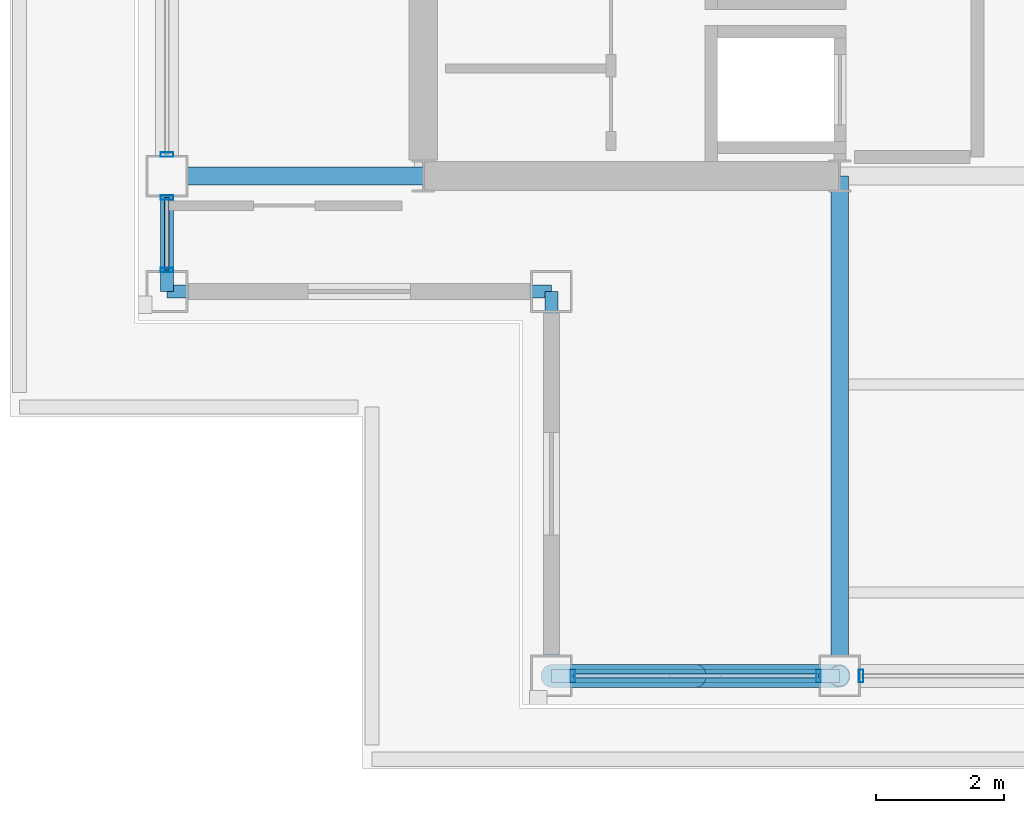
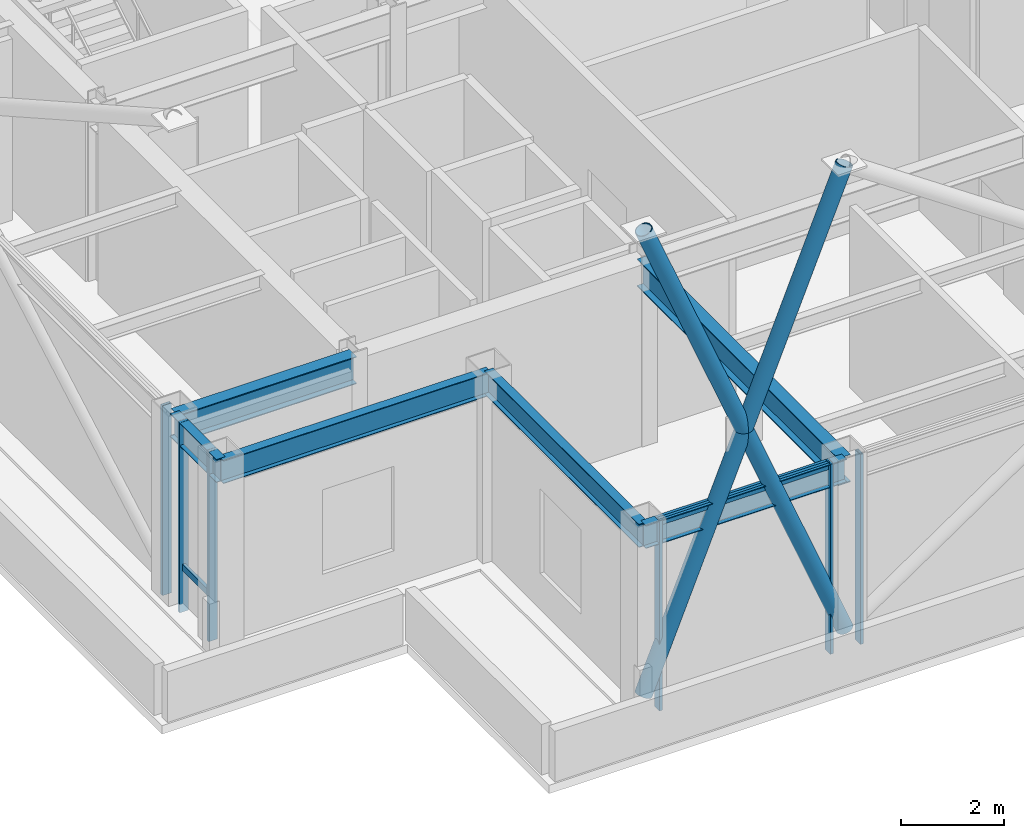
# One storey, part 2 of 19: 11 members, 6 beams, 4 elements without a shape of their own.
"""IFC4 building model written with IfcOpenShell, lengths in metres."""

from ifc_helpers import new_model, si_unit, direction, frame, origin, origin_2d, place, context, subcontext, project, spatial, hollow_rectangle, hollow_circle, i_section, extrude, material, layer, layer_set, material_profile, profile_set, type_object, element, aggregate, save


model = new_model("IFC4")

# Units and contexts
model_context = context("Model", 3, precision=1e-05, world=origin(), true_north=direction((0.0, 1.0)))
body_context = subcontext(model_context, "Body", "Model", "MODEL_VIEW")
ifc_project = project(units=[si_unit("LENGTHUNIT", "METRE"), si_unit("AREAUNIT", "SQUARE_METRE"), si_unit("VOLUMEUNIT", "CUBIC_METRE"), si_unit("PLANEANGLEUNIT", "RADIAN"), si_unit("MASSUNIT", "GRAM", prefix="KILO")], contexts=[model_context])

# Site, building, storey
site_placement = place(None, origin())
site = spatial("IfcSite", under=ifc_project, at=site_placement, CompositionType="ELEMENT")
building_placement = place(site_placement, origin())
building = spatial("IfcBuilding", under=site, at=building_placement, Name="Brelmoor Portico Tower", CompositionType="ELEMENT")
storey_placement = place(building_placement, frame((0.0, 0.0, 213.89990234375)))
storey = spatial("IfcBuildingStorey", under=building, at=storey_placement, Name="L56", CompositionType="ELEMENT", Elevation=213.89990234375)

# Beams
ifc_material_1 = material(Name="Steel Q355B", Category="steel")
ifc_material_profile_1 = material_profile(ifc_material_1, i_section(OverallWidth=0.280029296875, OverallDepth=0.64990234375, WebThickness=0.012939453125, FlangeThickness=0.02197265625, at=origin_2d()), Name="HN 650x280x13x22")
ifc_profile_set_1 = profile_set([ifc_material_profile_1], Name="Steel Q355B")
beam_type_1 = type_object("IfcBeamType", Name="BM-PG-650", PredefinedType="BEAM", material=ifc_profile_set_1)
beam_1_placement = place(storey_placement, frame((-8.050048828125, -17.550048828125, 3.97509765625), z_axis=(0.0, 1.0, 0.0), x_axis=(-1.0, 0.0, 0.0)))
element("IfcBeam", 1, at=beam_1_placement, inside=storey, type_object=beam_type_1, Name="L56 Primary Floor Girder PG-03", PredefinedType="BEAM", context=body_context, shape_type="SweptSolid", body=[
    extrude(i_section(OverallWidth=0.280029296875, OverallDepth=0.64990234375, WebThickness=0.012939453125, FlangeThickness=0.02197265625, at=origin_2d()), origin(), (0.0, 0.0, 1.0), 7.800048828125),
])
beam_2_placement = place(storey_placement, frame((-18.550048828125, -9.75, 3.97509765625), z_axis=(1.0, 0.0, 0.0), x_axis=(0.0, 1.0, 0.0)))
element("IfcBeam", 2, at=beam_2_placement, inside=storey, type_object=beam_type_1, Name="L56 Primary Floor Girder PG-11", PredefinedType="BEAM", context=body_context, shape_type="SweptSolid", body=[
    extrude(i_section(OverallWidth=0.280029296875, OverallDepth=0.64990234375, WebThickness=0.012939453125, FlangeThickness=0.02197265625, at=origin_2d()), origin(), (0.0, 0.0, 1.0), 4.0),
])
ifc_material_profile_2 = material_profile(ifc_material_1, i_section(OverallWidth=0.199951171875, OverallDepth=0.550048828125, WebThickness=0.010009765625, FlangeThickness=0.01611328125, at=origin_2d()), Name="HN 550x200x10x16")
ifc_profile_set_2 = profile_set([ifc_material_profile_2], Name="Steel Q355B")
beam_type_2 = type_object("IfcBeamType", Name="BM-SP-550", PredefinedType="SPANDREL", material=ifc_profile_set_2)
beam_3_placement = place(storey_placement, frame((-12.550048828125, -17.550048828125, 4.025146484375), z_axis=(1.0, 0.0, 0.0), x_axis=(0.0, 1.0, 0.0)))
element("IfcBeam", 3, at=beam_3_placement, inside=storey, type_object=beam_type_2, Name="L56 Perimeter Spandrel Beam SP-01", PredefinedType="SPANDREL", context=body_context, shape_type="SweptSolid", body=[
    extrude(i_section(OverallWidth=0.199951171875, OverallDepth=0.550048828125, WebThickness=0.010009765625, FlangeThickness=0.01611328125, at=origin_2d()), origin(), (0.0, 0.0, 1.0), 4.5),
])
beam_4_placement = place(storey_placement, frame((-18.550048828125, -11.550048828125, 4.025146484375), z_axis=(1.0, 0.0, 0.0), x_axis=(0.0, 1.0, 0.0)))
element("IfcBeam", 4, at=beam_4_placement, inside=storey, type_object=beam_type_2, Name="L56 Perimeter Spandrel Beam SP-04", PredefinedType="SPANDREL", context=body_context, shape_type="SweptSolid", body=[
    extrude(i_section(OverallWidth=0.199951171875, OverallDepth=0.550048828125, WebThickness=0.010009765625, FlangeThickness=0.01611328125, at=origin_2d()), origin(), (0.0, 0.0, 1.0), 6.0),
])
beam_5_placement = place(storey_placement, frame((-18.550048828125, -11.550048828125, 4.025146484375), z_axis=(0.0, 1.0, 0.0), x_axis=(-1.0, 0.0, 0.0)))
element("IfcBeam", 5, at=beam_5_placement, inside=storey, type_object=beam_type_2, Name="L56 Perimeter Spandrel Beam SP-11", PredefinedType="SPANDREL", context=body_context, shape_type="SweptSolid", body=[
    extrude(i_section(OverallWidth=0.199951171875, OverallDepth=0.550048828125, WebThickness=0.010009765625, FlangeThickness=0.01611328125, at=origin_2d()), origin(), (0.0, 0.0, 1.0), 1.800048828125),
])
beam_6_placement = place(storey_placement, frame((-12.550048828125, -17.550048828125, 4.025146484375), z_axis=(0.0, 1.0, 0.0), x_axis=(-1.0, 0.0, 0.0)))
element("IfcBeam", 6, at=beam_6_placement, inside=storey, type_object=beam_type_2, Name="L56 Perimeter Spandrel Beam SP-14", PredefinedType="SPANDREL", context=body_context, shape_type="SweptSolid", body=[
    extrude(i_section(OverallWidth=0.199951171875, OverallDepth=0.550048828125, WebThickness=0.010009765625, FlangeThickness=0.01611328125, at=origin_2d()), origin(), (0.0, 0.0, 1.0), 6.0),
])

# Members
ifc_material_profile_3 = material_profile(ifc_material_1, hollow_circle(Radius=0.177978515625, WallThickness=0.01611328125, at=origin_2d()), Name="CHS 356x16")
ifc_profile_set_3 = profile_set([ifc_material_profile_3], Name="Steel Q355B")
member_type_1 = type_object("IfcMemberType", Name="MB-BELT-DIAG2", PredefinedType="BRACE", material=ifc_profile_set_3)
member_1_placement = place(storey_placement, frame((-12.550048828125, -17.550048828125, 0.25), z_axis=(0.378632845721, 0.0, 0.925546956206), x_axis=(0.0, 1.0, 0.0)))
element("IfcMember", 7, at=member_1_placement, inside=storey, type_object=member_type_1, Name="L56 Continuous Mega-X Brace 127A", PredefinedType="BRACE", context=body_context, shape_type="SweptSolid", body=[
    extrude(hollow_circle(Radius=0.177978515625, WallThickness=0.01611328125, at=origin_2d()), origin(), (0.0, 0.0, 1.0), 11.884765625),
])
for number, where, z_axis, x_axis, name in (
    (8, (-8.050048828125, -17.550048828125, 0.25), (-0.378632845721, 0.0, 0.925546956206), (0.0, -1.0, 0.0), "L56 Split Mega-X Brace 127B1"),
    (9, (-10.300048828125, -17.550048828125, 5.75), (-0.378632845721, 0.0, 0.925546956206), (0.0, -1.0, 0.0), "L56 Split Mega-X Brace 127B2"),
):
    element("IfcMember", number, at=place(storey_placement, frame(where, z_axis=z_axis, x_axis=x_axis)), inside=storey, type_object=member_type_1, Name=name, PredefinedType="BRACE", context=body_context, shape_type="SweptSolid", body=[
        extrude(hollow_circle(Radius=0.177978515625, WallThickness=0.01611328125, at=origin_2d()), origin(), (0.0, 0.0, 1.0), 5.9423828125),
    ])

# Curtain wall, members
ifc_material_2 = material(Name="Anodised Aluminium Alloy 6063-T6", Category="aluminium")
ifc_layer_1 = layer(ifc_material_2, 0.179931640625)
ifc_layer_set_1 = layer_set([ifc_layer_1], Name="Anodised Aluminium Alloy 6063-T6")
curtain_wall_type_1 = type_object("IfcCurtainWallType", Name="CW-SKYLOBBY-XB", PredefinedType="NOTDEFINED", material=ifc_layer_set_1)
curtain_wall_1_placement = place(storey_placement, origin())
curtain_wall_1 = element("IfcCurtainWall", 10, at=curtain_wall_1_placement, inside=storey, type_object=curtain_wall_type_1, Name="L56 Curtain Wall CW-L56-01-1", PredefinedType="NOTDEFINED")
ifc_material_profile_4 = material_profile(ifc_material_2, hollow_rectangle(XDim=0.070068359375, YDim=0.199951171875, WallThickness=0.00439453125, at=origin_2d()), Name="ALU MULLION 70x200")
ifc_profile_set_4 = profile_set([ifc_material_profile_4], Name="Anodised Aluminium Alloy 6063-T6")
member_type_2 = type_object("IfcMemberType", Name="MB-CW-MULL-200", PredefinedType="MULLION", material=ifc_profile_set_4)
member_2_placement = place(storey_placement, frame((-12.215087890625, -17.550048828125, -0.199951171875), z_axis=(0.0, 0.0, 1.0), x_axis=(1.0, 0.0, 0.0)))
member_2 = element("IfcMember", 11, at=member_2_placement, type_object=member_type_2, Name="CW-L56-01-1 Mullion 00", PredefinedType="MULLION", context=body_context, shape_type="SweptSolid", body=[
    extrude(hollow_rectangle(XDim=0.070068359375, YDim=0.199951171875, WallThickness=0.00439453125, at=origin_2d()), origin(), (0.0, 0.0, 1.0), 4.5),
])
member_3_placement = place(storey_placement, frame((-8.385009765625, -17.550048828125, -0.199951171875), z_axis=(0.0, 0.0, 1.0), x_axis=(1.0, 0.0, 0.0)))
member_3 = element("IfcMember", 12, at=member_3_placement, type_object=member_type_2, Name="CW-L56-01-1 Mullion 01", PredefinedType="MULLION", context=body_context, shape_type="SweptSolid", body=[
    extrude(hollow_rectangle(XDim=0.070068359375, YDim=0.199951171875, WallThickness=0.00439453125, at=origin_2d()), origin(), (0.0, 0.0, 1.0), 4.5),
])

# Curtain wall, member
curtain_wall_2_placement = place(storey_placement, origin())
curtain_wall_2 = element("IfcCurtainWall", 13, at=curtain_wall_2_placement, inside=storey, type_object=curtain_wall_type_1, Name="L56 Curtain Wall CW-L56-01-2", PredefinedType="NOTDEFINED")
member_4_placement = place(storey_placement, frame((-7.715087890625, -17.550048828125, -0.199951171875), z_axis=(0.0, 0.0, 1.0), x_axis=(1.0, 0.0, 0.0)))
member_4 = element("IfcMember", 14, at=member_4_placement, type_object=member_type_2, Name="CW-L56-01-2 Mullion 00", PredefinedType="MULLION", context=body_context, shape_type="SweptSolid", body=[
    extrude(hollow_rectangle(XDim=0.070068359375, YDim=0.199951171875, WallThickness=0.00439453125, at=origin_2d()), origin(), (0.0, 0.0, 1.0), 4.5),
])
aggregate(curtain_wall_2, [member_4])

# Curtain wall, members
ifc_layer_2 = layer(ifc_material_2, 0.179931640625)
ifc_layer_set_2 = layer_set([ifc_layer_2], Name="Anodised Aluminium Alloy 6063-T6")
curtain_wall_type_2 = type_object("IfcCurtainWallType", Name="CW-SKYLOBBY", PredefinedType="NOTDEFINED", material=ifc_layer_set_2)
curtain_wall_3_placement = place(storey_placement, origin())
curtain_wall_3 = element("IfcCurtainWall", 15, at=curtain_wall_3_placement, inside=storey, type_object=curtain_wall_type_2, Name="L56 Curtain Wall CW-L56-03-1", PredefinedType="NOTDEFINED")
member_5_placement = place(storey_placement, frame((-18.550048828125, -11.215087890625, -0.199951171875), z_axis=(0.0, 0.0, 1.0), x_axis=(0.0, 1.0, 0.0)))
member_5 = element("IfcMember", 16, at=member_5_placement, type_object=member_type_2, Name="CW-L56-03-1 Mullion 00", PredefinedType="MULLION", context=body_context, shape_type="SweptSolid", body=[
    extrude(hollow_rectangle(XDim=0.070068359375, YDim=0.199951171875, WallThickness=0.00439453125, at=origin_2d()), origin(), (0.0, 0.0, 1.0), 4.5),
])
member_6_placement = place(storey_placement, frame((-18.550048828125, -10.0849609375, -0.199951171875), z_axis=(0.0, 0.0, 1.0), x_axis=(0.0, 1.0, 0.0)))
member_6 = element("IfcMember", 17, at=member_6_placement, type_object=member_type_2, Name="CW-L56-03-1 Mullion 01", PredefinedType="MULLION", context=body_context, shape_type="SweptSolid", body=[
    extrude(hollow_rectangle(XDim=0.070068359375, YDim=0.199951171875, WallThickness=0.00439453125, at=origin_2d()), origin(), (0.0, 0.0, 1.0), 4.5),
])

# Curtain wall, member
curtain_wall_4_placement = place(storey_placement, origin())
curtain_wall_4 = element("IfcCurtainWall", 18, at=curtain_wall_4_placement, inside=storey, type_object=curtain_wall_type_1, Name="L56 Curtain Wall CW-L56-03-2", PredefinedType="NOTDEFINED")
member_7_placement = place(storey_placement, frame((-18.550048828125, -9.4150390625, -0.199951171875), z_axis=(0.0, 0.0, 1.0), x_axis=(0.0, 1.0, 0.0)))
member_7 = element("IfcMember", 19, at=member_7_placement, type_object=member_type_2, Name="CW-L56-03-2 Mullion 00", PredefinedType="MULLION", context=body_context, shape_type="SweptSolid", body=[
    extrude(hollow_rectangle(XDim=0.070068359375, YDim=0.199951171875, WallThickness=0.00439453125, at=origin_2d()), origin(), (0.0, 0.0, 1.0), 4.5),
])
aggregate(curtain_wall_4, [member_7])

# Member
ifc_material_profile_5 = material_profile(ifc_material_2, hollow_rectangle(XDim=0.070068359375, YDim=0.159912109375, WallThickness=0.00390625, at=origin_2d()), Name="ALU TRANSOM 70x160")
ifc_profile_set_5 = profile_set([ifc_material_profile_5], Name="Anodised Aluminium Alloy 6063-T6")
member_type_3 = type_object("IfcMemberType", Name="MB-CW-TRAN-160", PredefinedType="USERDEFINED", material=ifc_profile_set_5)
member_8_placement = place(storey_placement, frame((-12.215087890625, -17.550048828125, 4.22021484375), z_axis=(1.0, 0.0, 0.0), x_axis=(0.0, 1.0, 0.0)))
member_8 = element("IfcMember", 20, at=member_8_placement, type_object=member_type_3, Name="CW-L56-01-1 Transom 1-00", ObjectType="TRANSOM", PredefinedType="USERDEFINED", context=body_context, shape_type="SweptSolid", body=[
    extrude(hollow_rectangle(XDim=0.070068359375, YDim=0.159912109375, WallThickness=0.00390625, at=origin_2d()), origin(), (0.0, 0.0, 1.0), 3.830078125),
])

aggregate(curtain_wall_1, [member_2, member_3, member_8])

member_9_placement = place(storey_placement, frame((-18.550048828125, -11.215087890625, 0.85009765625), z_axis=(0.0, 1.0, 0.0), x_axis=(-1.0, 0.0, 0.0)))
member_9 = element("IfcMember", 21, at=member_9_placement, type_object=member_type_3, Name="CW-L56-03-1 Transom 1-00", ObjectType="TRANSOM", PredefinedType="USERDEFINED", context=body_context, shape_type="SweptSolid", body=[
    extrude(hollow_rectangle(XDim=0.070068359375, YDim=0.159912109375, WallThickness=0.00390625, at=origin_2d()), origin(), (0.0, 0.0, 1.0), 1.130126953125),
])

aggregate(curtain_wall_3, [member_5, member_6, member_9])

save(model, "model.ifc")
